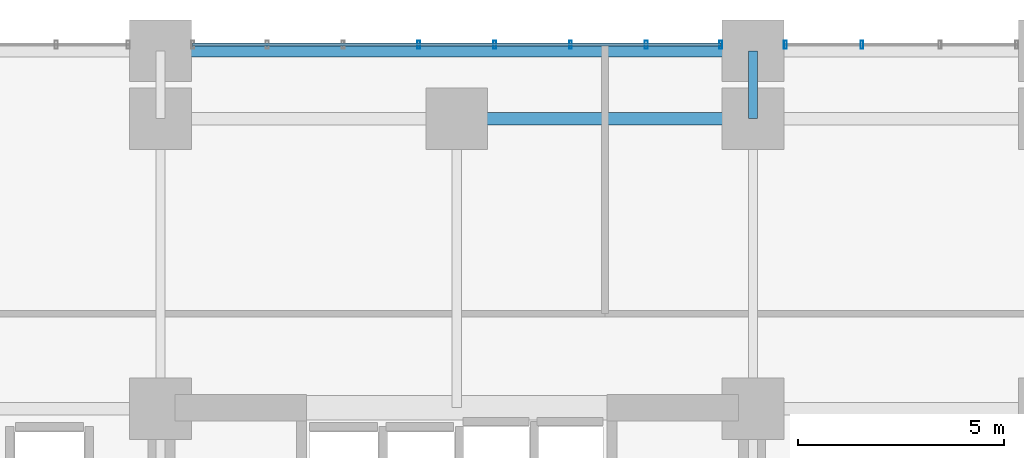
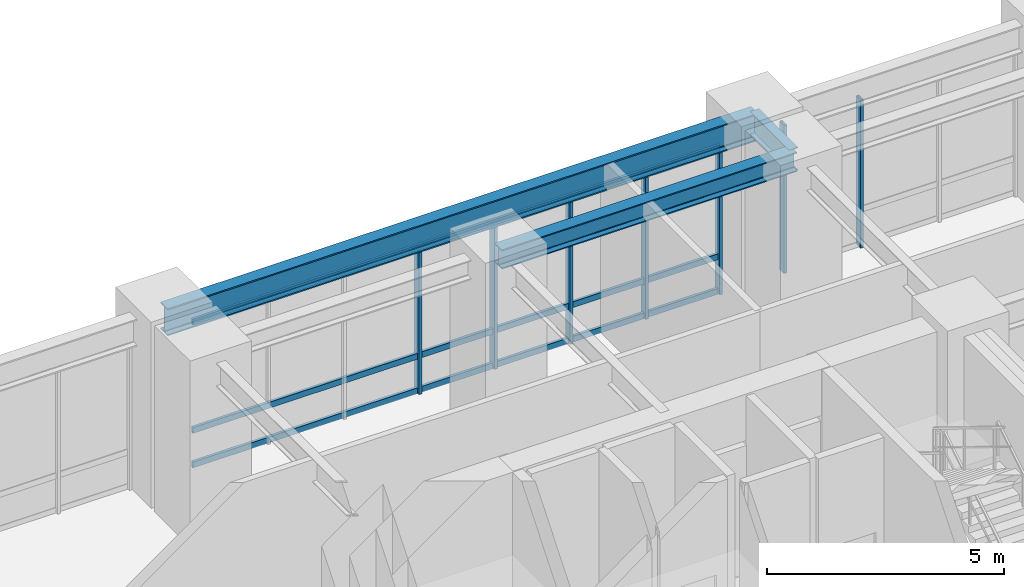
# One storey, part 6 of 22: 10 members, 3 beams, 2 elements without a shape of their own.
"""IFC4 building model written with IfcOpenShell, lengths in metres."""

from ifc_helpers import new_model, si_unit, direction, frame, origin, origin_2d, place, context, subcontext, project, spatial, hollow_rectangle, i_section, extrude, source, transform, mapped, material, layer, layer_set, material_profile, profile_set, type_object, element, aggregate, save


model = new_model("IFC4")

# Units and contexts
model_context = context("Model", 3, precision=1e-05, world=origin(), true_north=direction((0.0, 1.0)))
body_context = subcontext(model_context, "Body", "Model", "MODEL_VIEW")
ifc_project = project(units=[si_unit("LENGTHUNIT", "METRE"), si_unit("AREAUNIT", "SQUARE_METRE"), si_unit("VOLUMEUNIT", "CUBIC_METRE"), si_unit("PLANEANGLEUNIT", "RADIAN"), si_unit("MASSUNIT", "GRAM", prefix="KILO")], contexts=[model_context])

# Site, building, storey
site_placement = place(None, origin())
site = spatial("IfcSite", under=ifc_project, at=site_placement, CompositionType="ELEMENT")
building_placement = place(site_placement, origin())
building = spatial("IfcBuilding", under=site, at=building_placement, Name="Kaliganga Portal Commons", CompositionType="ELEMENT")
storey_placement = place(building_placement, frame((0.0, 0.0, 5.39990234375)))
storey = spatial("IfcBuildingStorey", under=building, at=storey_placement, Name="L01", CompositionType="ELEMENT", Elevation=5.39990234375)

# Beams
ifc_material_1 = material(Name="Structural steel S355J2", Category="steel")
ifc_material_profile_1 = material_profile(ifc_material_1, i_section(OverallWidth=0.300048828125, OverallDepth=0.699951171875, WebThickness=0.01708984375, FlangeThickness=0.031982421875, FilletRadius=0.027099609375, at=origin_2d()), Name="HE 700 B")
ifc_profile_set_1 = profile_set([ifc_material_profile_1], Name="Structural steel S355J2 wide-flange")
beam_type_1 = type_object("IfcBeamType", Name="BM-GIRD-700", PredefinedType="USERDEFINED", material=ifc_profile_set_1)
shared_shape_1 = source(origin(), body_context, "Body", "SweptSolid", [
    extrude(i_section(OverallWidth=0.300048828125, OverallDepth=0.699951171875, WebThickness=0.01708984375, FlangeThickness=0.031982421875, FilletRadius=0.027099609375, at=origin_2d()), origin(), (0.0, 0.0, 1.0), 14.400146484375),
])
beam_1_placement = place(storey_placement, frame((14.39990234375, 44.85009765625, 4.170166015625), z_axis=(1.0, 0.0, 0.0), x_axis=(0.0, 1.0, 0.0)))
element("IfcBeam", 1, at=beam_1_placement, inside=storey, type_object=beam_type_1, Name="BM PODP L01 N44 2", ObjectType="GIRDER", PredefinedType="USERDEFINED", context=body_context, shape_type="MappedRepresentation", body=[
    mapped(shared_shape_1, transform((0.0, 0.0, 0.0), x_axis=(1.0, 0.0, 0.0), y_axis=(0.0, 1.0, 0.0), z_axis=(0.0, 0.0, 1.0), scale=1.0)),
])
ifc_material_profile_2 = material_profile(ifc_material_1, i_section(OverallWidth=0.219970703125, OverallDepth=0.60009765625, WebThickness=0.011962890625, FlangeThickness=0.01904296875, FilletRadius=0.02392578125, at=origin_2d()), Name="IPE 600")
ifc_profile_set_2 = profile_set([ifc_material_profile_2], Name="Structural steel S355J2 wide-flange")
beam_type_2 = type_object("IfcBeamType", Name="BM-FLR-600", PredefinedType="BEAM", material=ifc_profile_set_2)
shared_shape_2 = source(origin(), body_context, "Body", "SweptSolid", [
    extrude(i_section(OverallWidth=0.219970703125, OverallDepth=0.60009765625, WebThickness=0.011962890625, FlangeThickness=0.01904296875, FilletRadius=0.02392578125, at=origin_2d()), origin(), (0.0, 0.0, 1.0), 1.650146484375),
])
beam_2_placement = place(storey_placement, frame((28.800048828125, 43.199951171875, 4.22021484375), z_axis=(0.0, 1.0, 0.0), x_axis=(-1.0, 0.0, 0.0)))
element("IfcBeam", 2, at=beam_2_placement, inside=storey, type_object=beam_type_2, Name="BM PODP L01 NT28", PredefinedType="BEAM", context=body_context, shape_type="MappedRepresentation", body=[
    mapped(shared_shape_2, transform((0.0, 0.0, 0.0), x_axis=(1.0, 0.0, 0.0), y_axis=(0.0, 1.0, 0.0), z_axis=(0.0, 0.0, 1.0), scale=1.0)),
])
ifc_material_profile_3 = material_profile(ifc_material_1, i_section(OverallWidth=0.300048828125, OverallDepth=0.5, WebThickness=0.014404296875, FlangeThickness=0.028076171875, FilletRadius=0.027099609375, at=origin_2d()), Name="HE 500 B")
ifc_profile_set_3 = profile_set([ifc_material_profile_3], Name="Structural steel S355J2 wide-flange")
beam_type_3 = type_object("IfcBeamType", Name="BM-SPAND-500", PredefinedType="SPANDREL", material=ifc_profile_set_3)
shared_shape_3 = source(origin(), body_context, "Body", "SweptSolid", [
    extrude(i_section(OverallWidth=0.300048828125, OverallDepth=0.5, WebThickness=0.014404296875, FlangeThickness=0.028076171875, FilletRadius=0.027099609375, at=origin_2d()), origin(), (0.0, 0.0, 1.0), 7.199951171875),
])
beam_3_placement = place(storey_placement, frame((21.60009765625, 43.199951171875, 4.27001953125), z_axis=(1.0, 0.0, 0.0), x_axis=(0.0, 1.0, 0.0)))
element("IfcBeam", 3, at=beam_3_placement, inside=storey, type_object=beam_type_3, Name="BM SP L01 AN 2", PredefinedType="SPANDREL", context=body_context, shape_type="MappedRepresentation", body=[
    mapped(shared_shape_3, transform((0.0, 0.0, 0.0), x_axis=(1.0, 0.0, 0.0), y_axis=(0.0, 1.0, 0.0), z_axis=(0.0, 0.0, 1.0), scale=1.0)),
])

# Curtain wall, members
ifc_material_2 = material(Name="Anodized Aluminium and Laminated Low-E Glass", Category="aluminium")
ifc_layer = layer(ifc_material_2, 0.219970703125)
ifc_layer_set = layer_set([ifc_layer], Name="Anodized Aluminium and Laminated Low-E Glass")
curtain_wall_type = type_object("IfcCurtainWallType", Name="CW-SYS-01", PredefinedType="NOTDEFINED", material=ifc_layer_set)
curtain_wall_1_placement = place(storey_placement, origin())
curtain_wall_1 = element("IfcCurtainWall", 4, at=curtain_wall_1_placement, inside=storey, type_object=curtain_wall_type, Name="CW 01 L01 P1E02S6", PredefinedType="NOTDEFINED")
ifc_material_3 = material(Name="Dark Bronze Anodized Aluminium", Category="aluminium")
ifc_material_profile_4 = material_profile(ifc_material_3, hollow_rectangle(XDim=0.070068359375, YDim=0.14990234375, WallThickness=0.00341796875, at=origin_2d()), Name="ALU TRAN 70x150x3.5")
ifc_profile_set_4 = profile_set([ifc_material_profile_4], Name="Dark Bronze Anodized Aluminium")
member_type_1 = type_object("IfcMemberType", Name="CW-TRN-150", PredefinedType="USERDEFINED", material=ifc_profile_set_4)
shared_shape_4 = source(origin(), body_context, "Body", "SweptSolid", [
    extrude(hollow_rectangle(XDim=0.070068359375, YDim=0.14990234375, WallThickness=0.00341796875, at=origin_2d()), origin(), (0.0, 0.0, 1.0), 12.858154296875),
])
member_1_placement = place(storey_placement, frame((28.029052734375, 45.0, 0.06005859375), z_axis=(-1.0, 0.0, 0.0), x_axis=(0.0, -1.0, 0.0)))
member_1 = element("IfcMember", 5, at=member_1_placement, type_object=member_type_1, Name="CW:01:L01:P1E02S6 Transom 1", ObjectType="TRANSOM", PredefinedType="USERDEFINED", context=body_context, shape_type="MappedRepresentation", body=[
    mapped(shared_shape_4, transform((0.0, 0.0, 0.0), x_axis=(1.0, 0.0, 0.0), y_axis=(0.0, 1.0, 0.0), z_axis=(0.0, 0.0, 1.0), scale=1.0)),
])
member_2_placement = place(storey_placement, frame((28.029052734375, 45.0, 0.9501953125), z_axis=(-1.0, 0.0, 0.0), x_axis=(0.0, -1.0, 0.0)))
member_2 = element("IfcMember", 6, at=member_2_placement, type_object=member_type_1, Name="CW:01:L01:P1E02S6 Transom 2", ObjectType="TRANSOM", PredefinedType="USERDEFINED", context=body_context, shape_type="MappedRepresentation", body=[
    mapped(shared_shape_4, transform((0.0, 0.0, 0.0), x_axis=(1.0, 0.0, 0.0), y_axis=(0.0, 1.0, 0.0), z_axis=(0.0, 0.0, 1.0), scale=1.0)),
])
member_3_placement = place(storey_placement, frame((28.029052734375, 45.0, 3.739990234375), z_axis=(-1.0, 0.0, 0.0), x_axis=(0.0, -1.0, 0.0)))
member_3 = element("IfcMember", 7, at=member_3_placement, type_object=member_type_1, Name="CW:01:L01:P1E02S6 Transom 3", ObjectType="TRANSOM", PredefinedType="USERDEFINED", context=body_context, shape_type="MappedRepresentation", body=[
    mapped(shared_shape_4, transform((0.0, 0.0, 0.0), x_axis=(1.0, 0.0, 0.0), y_axis=(0.0, 1.0, 0.0), z_axis=(0.0, 0.0, 1.0), scale=1.0)),
])

curtain_wall_2_placement = place(storey_placement, origin())
curtain_wall_2 = element("IfcCurtainWall", 8, at=curtain_wall_2_placement, inside=storey, type_object=curtain_wall_type, Name="CW 01 L01 P1E02S5", PredefinedType="NOTDEFINED")
ifc_material_profile_5 = material_profile(ifc_material_3, hollow_rectangle(XDim=0.070068359375, YDim=0.199951171875, WallThickness=0.00390625, at=origin_2d()), Name="ALU MULL 70x200x4")
ifc_profile_set_5 = profile_set([ifc_material_profile_5], Name="Dark Bronze Anodized Aluminium")
member_type_2 = type_object("IfcMemberType", Name="CW-MUL-220", PredefinedType="MULLION", material=ifc_profile_set_5)
shared_shape_5 = source(origin(), body_context, "Body", "SweptSolid", [
    extrude(hollow_rectangle(XDim=0.070068359375, YDim=0.199951171875, WallThickness=0.00390625, at=origin_2d()), origin(), (0.0, 0.0, 1.0), 3.820068359375),
])
member_4_placement = place(storey_placement, frame((31.4501953125, 45.0, 0.0), z_axis=(0.0, 0.0, 1.0), x_axis=(-1.0, 0.0, 0.0)))
member_4 = element("IfcMember", 9, at=member_4_placement, type_object=member_type_2, Name="CW:01:L01:P1E02S5 Mullion 02", PredefinedType="MULLION", context=body_context, shape_type="MappedRepresentation", body=[
    mapped(shared_shape_5, transform((0.0, 0.0, 0.0), x_axis=(1.0, 0.0, 0.0), y_axis=(0.0, 1.0, 0.0), z_axis=(0.0, 0.0, 1.0), scale=1.0)),
])
member_5_placement = place(storey_placement, frame((29.5859375, 45.0, 0.0), z_axis=(0.0, 0.0, 1.0), x_axis=(-1.0, 0.0, 0.0)))
member_5 = element("IfcMember", 10, at=member_5_placement, type_object=member_type_2, Name="CW:01:L01:P1E02S5 Mullion 03", PredefinedType="MULLION", context=body_context, shape_type="MappedRepresentation", body=[
    mapped(shared_shape_5, transform((0.0, 0.0, 0.0), x_axis=(1.0, 0.0, 0.0), y_axis=(0.0, 1.0, 0.0), z_axis=(0.0, 0.0, 1.0), scale=1.0)),
])
aggregate(curtain_wall_2, [member_4, member_5])

# Member
member_6_placement = place(storey_placement, frame((28.013916015625, 45.0, 0.0), z_axis=(0.0, 0.0, 1.0), x_axis=(-1.0, 0.0, 0.0)))
member_6 = element("IfcMember", 11, at=member_6_placement, type_object=member_type_2, Name="CW:01:L01:P1E02S6 Mullion 00", PredefinedType="MULLION", context=body_context, shape_type="MappedRepresentation", body=[
    mapped(shared_shape_5, transform((0.0, 0.0, 0.0), x_axis=(1.0, 0.0, 0.0), y_axis=(0.0, 1.0, 0.0), z_axis=(0.0, 0.0, 1.0), scale=1.0)),
])

member_7_placement = place(storey_placement, frame((26.206298828125, 45.0, 0.0), z_axis=(0.0, 0.0, 1.0), x_axis=(-1.0, 0.0, 0.0)))
member_7 = element("IfcMember", 12, at=member_7_placement, type_object=member_type_2, Name="CW:01:L01:P1E02S6 Mullion 01", PredefinedType="MULLION", context=body_context, shape_type="MappedRepresentation", body=[
    mapped(shared_shape_5, transform((0.0, 0.0, 0.0), x_axis=(1.0, 0.0, 0.0), y_axis=(0.0, 1.0, 0.0), z_axis=(0.0, 0.0, 1.0), scale=1.0)),
])

member_8_placement = place(storey_placement, frame((24.364013671875, 45.0, 0.0), z_axis=(0.0, 0.0, 1.0), x_axis=(-1.0, 0.0, 0.0)))
member_8 = element("IfcMember", 13, at=member_8_placement, type_object=member_type_2, Name="CW:01:L01:P1E02S6 Mullion 02", PredefinedType="MULLION", context=body_context, shape_type="MappedRepresentation", body=[
    mapped(shared_shape_5, transform((0.0, 0.0, 0.0), x_axis=(1.0, 0.0, 0.0), y_axis=(0.0, 1.0, 0.0), z_axis=(0.0, 0.0, 1.0), scale=1.0)),
])

member_9_placement = place(storey_placement, frame((22.521240234375, 45.0, 0.0), z_axis=(0.0, 0.0, 1.0), x_axis=(-1.0, 0.0, 0.0)))
member_9 = element("IfcMember", 14, at=member_9_placement, type_object=member_type_2, Name="CW:01:L01:P1E02S6 Mullion 03", PredefinedType="MULLION", context=body_context, shape_type="MappedRepresentation", body=[
    mapped(shared_shape_5, transform((0.0, 0.0, 0.0), x_axis=(1.0, 0.0, 0.0), y_axis=(0.0, 1.0, 0.0), z_axis=(0.0, 0.0, 1.0), scale=1.0)),
])

member_10_placement = place(storey_placement, frame((20.6787109375, 45.0, 0.0), z_axis=(0.0, 0.0, 1.0), x_axis=(-1.0, 0.0, 0.0)))
member_10 = element("IfcMember", 15, at=member_10_placement, type_object=member_type_2, Name="CW:01:L01:P1E02S6 Mullion 04", PredefinedType="MULLION", context=body_context, shape_type="MappedRepresentation", body=[
    mapped(shared_shape_5, transform((0.0, 0.0, 0.0), x_axis=(1.0, 0.0, 0.0), y_axis=(0.0, 1.0, 0.0), z_axis=(0.0, 0.0, 1.0), scale=1.0)),
])

aggregate(curtain_wall_1, [member_6, member_7, member_8, member_9, member_10, member_1, member_2, member_3])

save(model, "model.ifc")
